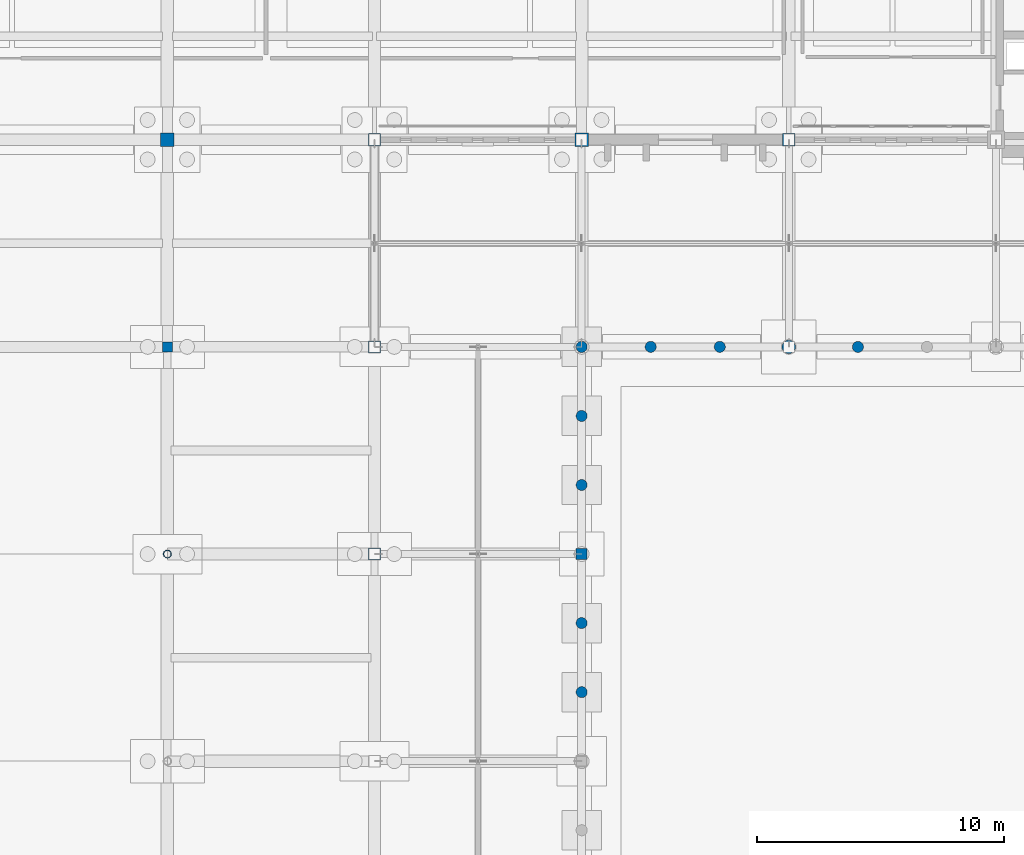
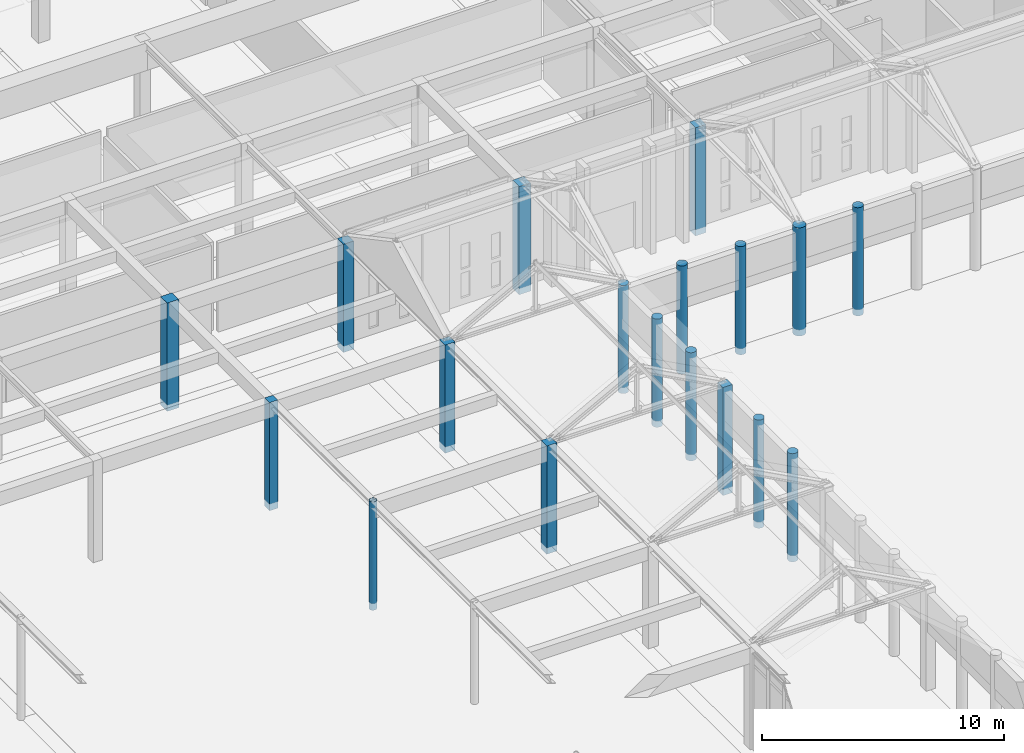
# One storey, part 18 of 143: 18 columns.
"""IFC4 building model written with IfcOpenShell, lengths in metres."""

import ifcopenshell
import ifcopenshell.guid

model = None  # the IFC model being written
_history = None  # IfcOwnerHistory: only IFC2X3 demands one
_inside = {}  # id of a spatial element -> (the spatial element, [elements in it])
_under = {}  # id of a project, library or spatial element -> (it, [spatial elements below it])
_declared = {}  # id of a project -> (the project, [libraries it declares])
_typed = {}  # id of a type object -> (the type object, [elements of that type])
_made_of = {}  # id of a material, layer set ... -> (it, [elements and type objects made of it])


def new_model(schema):
    """Start an empty IFC model of exactly this schema.

    Asked for "IFC4X3", IfcOpenShell would pick the latest addendum, in which some entities
    have other attributes; the version numbers below select the first issue.
    IFC2X3 requires an IfcOwnerHistory on every rooted entity: one is made here for all.
    """
    global model, _history
    if schema == "IFC4X3":
        model = ifcopenshell.file(schema_version=(4, 3, 0, 0))
    else:
        model = ifcopenshell.file(schema=schema)
    _inside.clear()
    _under.clear()
    _declared.clear()
    _typed.clear()
    _made_of.clear()
    _history = None
    if model.schema == "IFC2X3":
        org = make("IfcOrganization", Name="unknown")
        user = make(
            "IfcPersonAndOrganization",
            ThePerson=make("IfcPerson", FamilyName="unknown"),
            TheOrganization=org,
        )
        app = make(
            "IfcApplication",
            ApplicationDeveloper=org,
            Version="unknown",
            ApplicationFullName="unknown",
            ApplicationIdentifier="unknown",
        )
        _history = make(
            "IfcOwnerHistory",
            OwningUser=user,
            OwningApplication=app,
            ChangeAction="ADDED",
            CreationDate=0,
        )
    return model


def make(cls, **values):
    """One entity of the class cls with the attributes given. An attribute that is None is left unset."""
    return model.create_entity(
        cls, **{name: value for name, value in values.items() if value is not None}
    )


def rooted(cls, **values):
    """An entity with a GlobalId (a new one), such as an element, a storey or a relation."""
    return make(cls, GlobalId=ifcopenshell.guid.new(), OwnerHistory=_history, **values)


def si_unit(unit_type, name, prefix=None):
    """IfcSIUnit, for example si_unit("LENGTHUNIT", "METRE", prefix="MILLI")."""
    return make("IfcSIUnit", UnitType=unit_type, Prefix=prefix, Name=name)


def assignment(units):
    """IfcUnitAssignment: the units of a project."""
    return None if units is None else make("IfcUnitAssignment", Units=units)


def point(xyz):
    """IfcCartesianPoint."""
    return None if xyz is None else make("IfcCartesianPoint", Coordinates=xyz)


def direction(xyz):
    """IfcDirection."""
    return None if xyz is None else make("IfcDirection", DirectionRatios=xyz)


def frame(location, z_axis=None, x_axis=None):
    """IfcAxis2Placement3D, a coordinate frame: its origin and axes. An axis left out is left unset."""
    return make(
        "IfcAxis2Placement3D",
        Location=point(location),
        Axis=direction(z_axis),
        RefDirection=direction(x_axis),
    )


def frame_2d(location, x_axis=None):
    """IfcAxis2Placement2D, a coordinate frame in the plane: its origin and x axis."""
    return make(
        "IfcAxis2Placement2D", Location=point(location), RefDirection=direction(x_axis)
    )


def origin():
    """The frame at (0, 0, 0) with its axes left unset."""
    return frame((0.0, 0.0, 0.0))


def origin_2d():
    """The frame at (0, 0) in the plane with its x axis left unset."""
    return frame_2d((0.0, 0.0))


def place(relative_to, where):
    """IfcLocalPlacement: puts the frame where relative to a parent placement (None: the world)."""
    return make(
        "IfcLocalPlacement", PlacementRelTo=relative_to, RelativePlacement=where
    )


def context(
    kind, dimensions, precision=None, world=None, true_north=None, identifier=None
):
    """IfcGeometricRepresentationContext, for example the 3D "Model" context."""
    return make(
        "IfcGeometricRepresentationContext",
        ContextIdentifier=identifier,
        ContextType=kind,
        CoordinateSpaceDimension=dimensions,
        Precision=precision,
        WorldCoordinateSystem=world,
        TrueNorth=true_north,
    )


def subcontext(parent, identifier, kind, view, scale=None):
    """IfcGeometricRepresentationSubContext, for example "Body" below "Model"."""
    return make(
        "IfcGeometricRepresentationSubContext",
        ContextIdentifier=identifier,
        ContextType=kind,
        ParentContext=parent,
        TargetScale=scale,
        TargetView=view,
    )


def project(units=None, contexts=None):
    """IfcProject with its units and contexts."""
    return rooted(
        "IfcProject",
        Name="project",
        RepresentationContexts=contexts,
        UnitsInContext=assignment(units),
    )


def spatial(cls, under=None, at=None, **own):
    """A site, building, storey or space (cls), placed at a placement, below another one or the project."""
    s = rooted(cls, ObjectPlacement=at, **own)
    if under is not None:
        _under.setdefault(under.id(), (under, []))[1].append(s)
    return s


def profile(cls, at=None, kind="AREA", **sizes):
    """A parametric profile (cls). Its sizes go by their IFC names, for example OverallWidth=200.0."""
    return make(cls, ProfileType=kind, Position=at, **sizes)


def rectangle(**sizes):
    """IfcRectangleProfileDef."""
    return profile("IfcRectangleProfileDef", **sizes)


def circle(**sizes):
    """IfcCircleProfileDef."""
    return profile("IfcCircleProfileDef", **sizes)


def hollow_circle(**sizes):
    """IfcCircleHollowProfileDef."""
    return profile("IfcCircleHollowProfileDef", **sizes)


def extrude(swept, where, along, depth):
    """IfcExtrudedAreaSolid: the profile swept, set in the frame where, extruded along a direction by depth."""
    return make(
        "IfcExtrudedAreaSolid",
        SweptArea=swept,
        Position=where,
        ExtrudedDirection=direction(along),
        Depth=depth,
    )


def shape(context_of_items, identifier, shape_type, items):
    """IfcShapeRepresentation: the items that make up one representation, for example the "Body"."""
    return make(
        "IfcShapeRepresentation",
        ContextOfItems=context_of_items,
        RepresentationIdentifier=identifier,
        RepresentationType=shape_type,
        Items=items,
    )


def material(Name=None, Category=None):
    """IfcMaterial."""
    return make("IfcMaterial", Name=Name, Category=Category)


def material_profile(
    of_material, cross_section, Name=None, Category=None, Priority=None
):
    """IfcMaterialProfile: a cross section and its material."""
    return make(
        "IfcMaterialProfile",
        Name=Name,
        Material=of_material,
        Profile=cross_section,
        Priority=Priority,
        Category=Category,
    )


def profile_set(profiles, Name=None, composite=None):
    """IfcMaterialProfileSet."""
    return make(
        "IfcMaterialProfileSet",
        Name=Name,
        MaterialProfiles=profiles,
        CompositeProfile=composite,
    )


def made_of(thing, what):
    """Note that an element or type object is made of a material, layer set ...; save() writes the relation."""
    if what is not None:
        _made_of.setdefault(what.id(), (what, []))[1].append(thing)
    return thing


def type_object(cls, material=None, **own):
    """A type object (cls), such as IfcWallType, which elements share."""
    return made_of(rooted(cls, **own), material)


def element(
    cls,
    number,
    at=None,
    inside=None,
    cuts=None,
    type_object=None,
    material=None,
    context=None,
    identifier="Body",
    shape_type=None,
    held_by="IfcProductDefinitionShape",
    body=None,
    shapes=None,
    **own,
):
    """One element of the class cls, such as IfcWall. Its Tag is "e" and its number.

    at: its placement. inside: the storey or other place that contains it. cuts: it is an
    opening in that element (IfcRelVoidsElement). A single representation is given by context,
    identifier, shape_type and body (its items); several are given by shapes. held_by: the class
    of the entity that holds the representations. save() writes the other relations.
    """
    e = rooted(cls, Tag="e%d" % number, ObjectPlacement=at, **own)
    if body is not None:
        shapes = [shape(context, identifier, shape_type, body)]
    if shapes is not None:
        e.Representation = make(held_by, Representations=shapes)
    if inside is not None:
        _inside.setdefault(inside.id(), (inside, []))[1].append(e)
    if cuts is not None:
        rooted(
            "IfcRelVoidsElement", RelatingBuildingElement=cuts, RelatedOpeningElement=e
        )
    if type_object is not None:
        _typed.setdefault(type_object.id(), (type_object, []))[1].append(e)
    return made_of(e, material)


def aggregate(whole, parts):
    """IfcRelAggregates: a whole, such as a stair, and the parts it consists of."""
    return rooted("IfcRelAggregates", RelatingObject=whole, RelatedObjects=parts)


def save(model, path):
    """Write the relations noted so far, then the file.

    IfcRelAggregates (storeys below a building ...), IfcRelContainedInSpatialStructure (elements
    in a storey), IfcRelDefinesByType, IfcRelAssociatesMaterial and IfcRelDeclares: one each for
    every whole, place, type object, material and project.
    """
    for whole, parts in _under.values():
        aggregate(whole, parts)
    for where, things in _inside.values():
        rooted(
            "IfcRelContainedInSpatialStructure",
            RelatedElements=things,
            RelatingStructure=where,
        )
    for kind, things in _typed.values():
        rooted("IfcRelDefinesByType", RelatedObjects=things, RelatingType=kind)
    for what, things in _made_of.values():
        rooted("IfcRelAssociatesMaterial", RelatedObjects=things, RelatingMaterial=what)
    for by, libraries in _declared.values():
        rooted("IfcRelDeclares", RelatingContext=by, RelatedDefinitions=libraries)
    model.write(path)


model = new_model("IFC4")

# Units and contexts
model_context = context("Model", 3, precision=1e-05, world=origin(), true_north=direction((0.0, 1.0)))
body_context = subcontext(model_context, "Body", "Model", "MODEL_VIEW")
ifc_project = project(units=[si_unit("LENGTHUNIT", "METRE"), si_unit("AREAUNIT", "SQUARE_METRE"), si_unit("VOLUMEUNIT", "CUBIC_METRE"), si_unit("PLANEANGLEUNIT", "RADIAN"), si_unit("MASSUNIT", "GRAM", prefix="KILO")], contexts=[model_context])

# Site, building, storey
site_placement = place(None, origin())
site = spatial("IfcSite", under=ifc_project, at=site_placement, CompositionType="ELEMENT")
building_placement = place(site_placement, origin())
building = spatial("IfcBuilding", under=site, at=building_placement, Name="Kveldsbrygga Polytechnic", CompositionType="ELEMENT")
storey_placement = place(building_placement, origin())
storey = spatial("IfcBuildingStorey", under=building, at=storey_placement, Name="L00", CompositionType="ELEMENT", Elevation=0.0)

# Columns
ifc_material_1 = material(Name="Concrete C45/55", Category="concrete")
ifc_material_profile_1 = material_profile(ifc_material_1, circle(Radius=0.22509765625, at=origin_2d()), Name="RC D450")
ifc_profile_set_1 = profile_set([ifc_material_profile_1], Name="Concrete C45/55")
column_type_1 = type_object("IfcColumnType", Name="COL-ARC-D450", PredefinedType="COLUMN", material=ifc_profile_set_1)
for number, where, z_axis, x_axis, name in (
    (1, (84.0, 75.60009765625, -0.320068359375), (0.0, 0.0, 1.0), (1.0, 0.0, 0.0), "Column COL-L00-10-09"),
    (2, (86.800048828125, 75.60009765625, -0.320068359375), (0.0, 0.0, 1.0), (1.0, 0.0, 0.0), "Cloister Arcade Pier COL-ARC-057"),
    (3, (89.60009765625, 75.60009765625, -0.320068359375), (0.0, 0.0, 1.0), (1.0, 0.0, 0.0), "Cloister Arcade Pier COL-ARC-058"),
    (4, (95.199951171875, 75.60009765625, -0.320068359375), (0.0, 0.0, 1.0), (1.0, 0.0, 0.0), "Cloister Arcade Pier COL-ARC-061"),
    (5, (84.0, 61.60009765625, -0.320068359375), (0.0, 0.0, 1.0), (1.0, 0.0, 0.0), "Cloister Arcade Pier COL-ARC-083"),
    (6, (84.0, 64.39990234375, -0.320068359375), (0.0, 0.0, 1.0), (1.0, 0.0, 0.0), "Cloister Arcade Pier COL-ARC-084"),
    (7, (84.0, 70.0, -0.320068359375), (0.0, 0.0, 1.0), (1.0, 0.0, 0.0), "Cloister Arcade Pier COL-ARC-087"),
    (8, (84.0, 72.800048828125, -0.320068359375), (0.0, 0.0, 1.0), (1.0, 0.0, 0.0), "Cloister Arcade Pier COL-ARC-088"),
):
    element("IfcColumn", number, at=place(storey_placement, frame(where, z_axis=z_axis, x_axis=x_axis)), inside=storey, type_object=column_type_1, Name=name, PredefinedType="COLUMN", context=body_context, shape_type="SweptSolid", body=[
        extrude(circle(Radius=0.22509765625, at=origin_2d()), origin(), (0.0, 0.0, 1.0), 5.4599609375),
    ])
ifc_material_profile_2 = material_profile(ifc_material_1, circle(Radius=0.27490234375, at=origin_2d()), Name="RC D550")
ifc_profile_set_2 = profile_set([ifc_material_profile_2], Name="Concrete C45/55")
column_type_2 = type_object("IfcColumnType", Name="COL-ARC-D550", PredefinedType="COLUMN", material=ifc_profile_set_2)
column_1_placement = place(storey_placement, frame((92.39990234375, 75.60009765625, -0.320068359375), z_axis=(0.0, 0.0, 1.0), x_axis=(1.0, 0.0, 0.0)))
element("IfcColumn", 9, at=column_1_placement, inside=storey, type_object=column_type_2, Name="Column COL-L00-11-09", PredefinedType="COLUMN", context=body_context, shape_type="SweptSolid", body=[
    extrude(circle(Radius=0.27490234375, at=origin_2d()), origin(), (0.0, 0.0, 1.0), 5.4599609375),
])
ifc_material_profile_3 = material_profile(ifc_material_1, rectangle(XDim=0.39990234375, YDim=0.39990234375, at=origin_2d()), Name="RC 400x400")
ifc_profile_set_3 = profile_set([ifc_material_profile_3], Name="Concrete C45/55")
column_type_3 = type_object("IfcColumnType", Name="COL-RC-400", PredefinedType="COLUMN", material=ifc_profile_set_3)
column_2_placement = place(storey_placement, frame((67.199951171875, 75.60009765625, -0.320068359375), z_axis=(0.0, 0.0, 1.0), x_axis=(1.0, 0.0, 0.0)))
element("IfcColumn", 10, at=column_2_placement, inside=storey, type_object=column_type_3, Name="Column COL-L00-08-09", PredefinedType="COLUMN", context=body_context, shape_type="SweptSolid", body=[
    extrude(rectangle(XDim=0.39990234375, YDim=0.39990234375, at=origin_2d()), origin(), (0.0, 0.0, 1.0), 5.4599609375),
])
ifc_material_profile_4 = material_profile(ifc_material_1, rectangle(XDim=0.449951171875, YDim=0.449951171875, at=origin_2d()), Name="RC 450x450")
ifc_profile_set_4 = profile_set([ifc_material_profile_4], Name="Concrete C45/55")
column_type_4 = type_object("IfcColumnType", Name="COL-RC-450", PredefinedType="COLUMN", material=ifc_profile_set_4)
column_3_placement = place(storey_placement, frame((84.0, 67.199951171875, -0.320068359375), z_axis=(0.0, 0.0, 1.0), x_axis=(1.0, 0.0, 0.0)))
element("IfcColumn", 11, at=column_3_placement, inside=storey, type_object=column_type_4, Name="Column COL-L00-10-08", PredefinedType="COLUMN", context=body_context, shape_type="SweptSolid", body=[
    extrude(rectangle(XDim=0.449951171875, YDim=0.449951171875, at=origin_2d()), origin(), (0.0, 0.0, 1.0), 5.4599609375),
])
ifc_material_profile_5 = material_profile(ifc_material_1, rectangle(XDim=0.47998046875, YDim=0.47998046875, at=origin_2d()), Name="RC 480x480")
ifc_profile_set_5 = profile_set([ifc_material_profile_5], Name="Concrete C45/55")
column_type_5 = type_object("IfcColumnType", Name="COL-RC-480", PredefinedType="COLUMN", material=ifc_profile_set_5)
for number, where, z_axis, x_axis, name in (
    (12, (75.60009765625, 67.199951171875, -0.320068359375), (0.0, 0.0, 1.0), (1.0, 0.0, 0.0), "Column COL-L00-09-08"),
    (13, (75.60009765625, 75.60009765625, -0.320068359375), (0.0, 0.0, 1.0), (1.0, 0.0, 0.0), "Column COL-L00-09-09"),
):
    element("IfcColumn", number, at=place(storey_placement, frame(where, z_axis=z_axis, x_axis=x_axis)), inside=storey, type_object=column_type_5, Name=name, PredefinedType="COLUMN", context=body_context, shape_type="SweptSolid", body=[
        extrude(rectangle(XDim=0.47998046875, YDim=0.47998046875, at=origin_2d()), origin(), (0.0, 0.0, 1.0), 5.4599609375),
    ])
ifc_material_profile_6 = material_profile(ifc_material_1, rectangle(XDim=0.5, YDim=0.5, at=origin_2d()), Name="RC 500x500")
ifc_profile_set_6 = profile_set([ifc_material_profile_6], Name="Concrete C45/55")
column_type_6 = type_object("IfcColumnType", Name="COL-RC-500", PredefinedType="COLUMN", material=ifc_profile_set_6)
for number, where, z_axis, x_axis, name in (
    (14, (75.60009765625, 84.0, -0.320068359375), (0.0, 0.0, 1.0), (1.0, 0.0, 0.0), "Column COL-L00-09-10"),
    (15, (92.39990234375, 84.0, -0.320068359375), (0.0, 0.0, 1.0), (1.0, 0.0, 0.0), "Column COL-L00-11-10"),
):
    element("IfcColumn", number, at=place(storey_placement, frame(where, z_axis=z_axis, x_axis=x_axis)), inside=storey, type_object=column_type_6, Name=name, PredefinedType="COLUMN", context=body_context, shape_type="SweptSolid", body=[
        extrude(rectangle(XDim=0.5, YDim=0.5, at=origin_2d()), origin(), (0.0, 0.0, 1.0), 5.4599609375),
    ])
ifc_material_profile_7 = material_profile(ifc_material_1, rectangle(XDim=0.550048828125, YDim=0.550048828125, at=origin_2d()), Name="RC 550x550")
ifc_profile_set_7 = profile_set([ifc_material_profile_7], Name="Concrete C45/55")
column_type_7 = type_object("IfcColumnType", Name="COL-RC-550", PredefinedType="COLUMN", material=ifc_profile_set_7)
for number, where, z_axis, x_axis, name in (
    (16, (67.199951171875, 84.0, -0.320068359375), (0.0, 0.0, 1.0), (1.0, 0.0, 0.0), "Column COL-L00-08-10"),
    (17, (84.0, 84.0, -0.320068359375), (0.0, 0.0, 1.0), (1.0, 0.0, 0.0), "Column COL-L00-10-10"),
):
    element("IfcColumn", number, at=place(storey_placement, frame(where, z_axis=z_axis, x_axis=x_axis)), inside=storey, type_object=column_type_7, Name=name, PredefinedType="COLUMN", context=body_context, shape_type="SweptSolid", body=[
        extrude(rectangle(XDim=0.550048828125, YDim=0.550048828125, at=origin_2d()), origin(), (0.0, 0.0, 1.0), 5.4599609375),
    ])
ifc_material_2 = material(Name="Steel S355", Category="steel")
ifc_material_profile_8 = material_profile(ifc_material_2, hollow_circle(Radius=0.161865234375, WallThickness=0.01611328125, at=origin_2d()), Name="CHS 323.9x16.0")
ifc_profile_set_8 = profile_set([ifc_material_profile_8], Name="Steel S355")
column_type_8 = type_object("IfcColumnType", Name="COL-STL-CHS324", PredefinedType="COLUMN", material=ifc_profile_set_8)
column_4_placement = place(storey_placement, frame((67.199951171875, 67.199951171875, -0.320068359375), z_axis=(0.0, 0.0, 1.0), x_axis=(1.0, 0.0, 0.0)))
element("IfcColumn", 18, at=column_4_placement, inside=storey, type_object=column_type_8, Name="Column COL-L00-08-08", PredefinedType="COLUMN", context=body_context, shape_type="SweptSolid", body=[
    extrude(hollow_circle(Radius=0.161865234375, WallThickness=0.01611328125, at=origin_2d()), origin(), (0.0, 0.0, 1.0), 5.4599609375),
])

save(model, "model.ifc")
